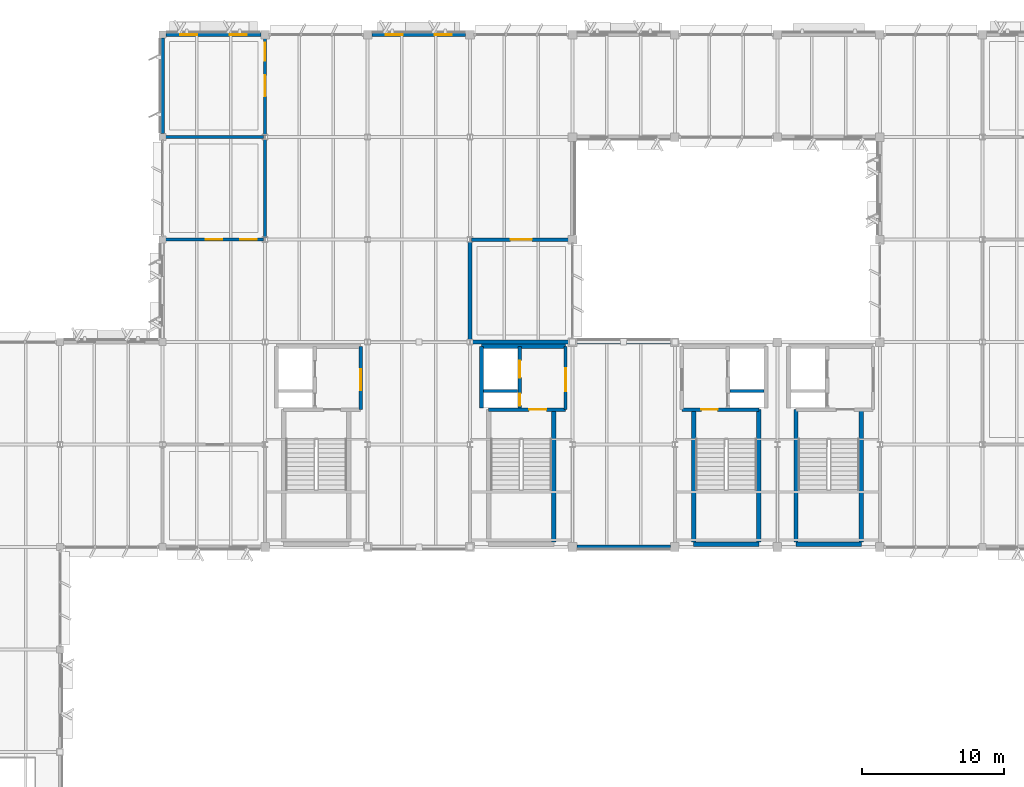
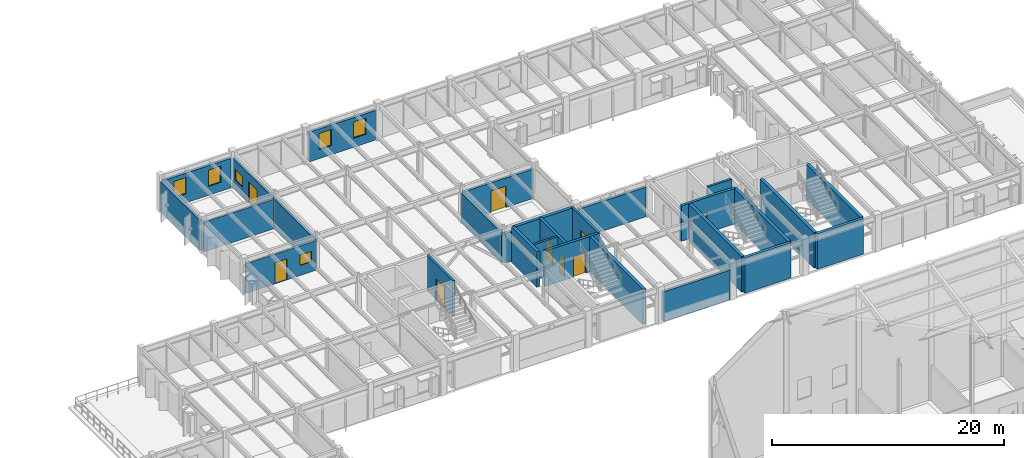
# One storey, part 38 of 82: 28 walls, 9 doors, 6 windows, 15 openings.
"""IFC4 building model written with IfcOpenShell, lengths in metres."""

from ifc_helpers import new_model, si_unit, direction, frame, frame_2d, origin, place, context, subcontext, project, spatial, rectangle, extrude, material, layer, layer_set, type_object, element, fill, save


model = new_model("IFC4")

# Units and contexts
model_context = context("Model", 3, precision=1e-05, world=origin(), true_north=direction((0.0, 1.0)))
body_context = subcontext(model_context, "Body", "Model", "MODEL_VIEW")
ifc_project = project(units=[si_unit("LENGTHUNIT", "METRE"), si_unit("AREAUNIT", "SQUARE_METRE"), si_unit("VOLUMEUNIT", "CUBIC_METRE"), si_unit("PLANEANGLEUNIT", "RADIAN"), si_unit("MASSUNIT", "GRAM", prefix="KILO")], contexts=[model_context])

# Site, building, storey
site_placement = place(None, origin())
site = spatial("IfcSite", under=ifc_project, at=site_placement, CompositionType="ELEMENT")
building_placement = place(site_placement, origin())
building = spatial("IfcBuilding", under=site, at=building_placement, Name="Sillqori Civic Hall", CompositionType="ELEMENT")
storey_placement = place(building_placement, frame((0.0, 0.0, 14.10009765625)))
storey = spatial("IfcBuildingStorey", under=building, at=storey_placement, Name="L04", CompositionType="ELEMENT", Elevation=14.10009765625)

# Wall, opening, door
ifc_material_1 = material(Name="Concrete C35/45 (H35)", Category="concrete")
ifc_layer_1 = layer(ifc_material_1, 0.219970703125)
ifc_layer_set_1 = layer_set([ifc_layer_1], Name="Concrete C35/45 (H35)")
wall_type_1 = type_object("IfcWallType", Name="CW-SHR-220", PredefinedType="SHEAR", material=ifc_layer_set_1)
wall_1_placement = place(storey_placement, frame((57.1201171875, 93.300048828125, 0.0), z_axis=(0.0, 0.0, 1.0), x_axis=(0.0, -1.0, 0.0)))
wall_1 = element("IfcWall", 1, at=wall_1_placement, inside=storey, type_object=wall_type_1, Name="L04 C5 firefighting lobby enclosure wall", PredefinedType="SHEAR", context=body_context, shape_type="SweptSolid", body=[
    extrude(rectangle(XDim=4.449951171875, YDim=0.219970703125, at=frame_2d((2.22509765625, 0.0))), origin(), (0.0, 0.0, 1.0), 3.719970703125),
])
opening_1_placement = place(wall_1_placement, frame((1.625, 0.0, 0.0)))
opening_1 = element("IfcOpeningElement", 2, at=opening_1_placement, cuts=wall_1, Name="Opening FD-03", PredefinedType="OPENING", context=body_context, shape_type="SweptSolid", body=[
    extrude(rectangle(XDim=1.449951171875, YDim=2.199951171875, at=frame_2d((0.72509765625, 1.10009765625))), frame((0.0, 0.119873046875, 0.0), z_axis=(0.0, -1.0, 0.0), x_axis=(1.0, 0.0, 0.0)), (0.0, 0.0, 1.0), 0.239990234375),
])
ifc_material_2 = material(Name="Double-Leaf Smoke-Seal Lobby Door", Category="steel")
door_type_1 = type_object("IfcDoorType", Name="FDR-LOB-145X220", OperationType="NOTDEFINED", PredefinedType="DOOR", material=ifc_material_2)
door_1_placement = place(opening_1_placement, origin())
door_1 = element("IfcDoor", 3, at=door_1_placement, inside=storey, type_object=door_type_1, Name="L04 C5 firefighting lobby exit door", OperationType="DOUBLE_DOOR_SINGLE_SWING", OverallHeight=2.199951171875, OverallWidth=1.449951171875, PredefinedType="DOOR", context=body_context, shape_type="SweptSolid", body=[
    extrude(rectangle(XDim=1.449951171875, YDim=2.199951171875, at=frame_2d((0.72509765625, 1.10009765625))), frame((0.0, 0.02490234375, 0.0), z_axis=(0.0, -1.0, 0.0), x_axis=(1.0, 0.0, 0.0)), (0.0, 0.0, 1.0), 0.050048828125),
])
fill(opening_1, door_1)

# Wall
wall_2_placement = place(storey_placement, frame((65.75, 90.14990234375, 0.0), z_axis=(0.0, 0.0, 1.0), x_axis=(1.0, 0.0, 0.0)))
element("IfcWall", 4, at=wall_2_placement, inside=storey, type_object=wall_type_1, Name="L04 C6 Lift-riser divider wall", PredefinedType="SHEAR", context=body_context, shape_type="SweptSolid", body=[
    extrude(rectangle(XDim=2.39990234375, YDim=0.219970703125, at=frame_2d((1.199951171875, 0.0))), origin(), (0.0, 0.0, 1.0), 3.719970703125),
])

# Wall, opening, door
wall_3_placement = place(storey_placement, frame((71.52001953125, 93.300048828125, 0.0), z_axis=(0.0, 0.0, 1.0), x_axis=(0.0, -1.0, 0.0)))
wall_3 = element("IfcWall", 5, at=wall_3_placement, inside=storey, type_object=wall_type_1, Name="L04 C6 firefighting lobby enclosure wall", PredefinedType="SHEAR", context=body_context, shape_type="SweptSolid", body=[
    extrude(rectangle(XDim=4.449951171875, YDim=0.219970703125, at=frame_2d((2.22509765625, 0.0))), origin(), (0.0, 0.0, 1.0), 3.719970703125),
])
opening_2_placement = place(wall_3_placement, frame((1.550048828125, 0.0, 0.0)))
opening_2 = element("IfcOpeningElement", 6, at=opening_2_placement, cuts=wall_3, Name="Opening FD-04", PredefinedType="OPENING", context=body_context, shape_type="SweptSolid", body=[
    extrude(rectangle(XDim=1.60009765625, YDim=2.199951171875, at=frame_2d((0.800048828125, 1.10009765625))), frame((0.0, 0.119873046875, 0.0), z_axis=(0.0, -1.0, 0.0), x_axis=(1.0, 0.0, 0.0)), (0.0, 0.0, 1.0), 0.239990234375),
])
ifc_material_3 = material(Name="Double-Leaf Firefighting Lobby Door", Category="steel")
door_type_2 = type_object("IfcDoorType", Name="FDR-LOB-160X220", OperationType="NOTDEFINED", PredefinedType="DOOR", material=ifc_material_3)
door_2_placement = place(opening_2_placement, origin())
door_2 = element("IfcDoor", 7, at=door_2_placement, inside=storey, type_object=door_type_2, Name="L04 C6 firefighting lobby exit door", OperationType="DOUBLE_DOOR_SINGLE_SWING", OverallHeight=2.199951171875, OverallWidth=1.60009765625, PredefinedType="DOOR", context=body_context, shape_type="SweptSolid", body=[
    extrude(rectangle(XDim=1.60009765625, YDim=2.199951171875, at=frame_2d((0.800048828125, 1.10009765625))), frame((0.0, 0.02490234375, 0.0), z_axis=(0.0, -1.0, 0.0), x_axis=(1.0, 0.0, 0.0)), (0.0, 0.0, 1.0), 0.050048828125),
])
fill(opening_2, door_2)

# Wall
wall_4_placement = place(storey_placement, frame((83.050048828125, 90.14990234375, 0.0), z_axis=(0.0, 0.0, 1.0), x_axis=(1.0, 0.0, 0.0)))
element("IfcWall", 8, at=wall_4_placement, inside=storey, type_object=wall_type_1, Name="L04 C7 Lift-riser divider wall", PredefinedType="SHEAR", context=body_context, shape_type="SweptSolid", body=[
    extrude(rectangle(XDim=2.39990234375, YDim=0.219970703125, at=frame_2d((1.199951171875, 0.0))), origin(), (0.0, 0.0, 1.0), 3.719970703125),
])

# Wall, opening, door
ifc_layer_2 = layer(ifc_material_1, 0.260009765625)
ifc_layer_set_2 = layer_set([ifc_layer_2], Name="Concrete C35/45 (H35)")
wall_type_2 = type_object("IfcWallType", Name="CW-SHR-260", PredefinedType="SHEAR", material=ifc_layer_set_2)
wall_5_placement = place(storey_placement, frame((66.110107421875, 88.85009765625, 0.0), z_axis=(0.0, 0.0, 1.0), x_axis=(1.0, 0.0, 0.0)))
wall_5 = element("IfcWall", 9, at=wall_5_placement, inside=storey, type_object=wall_type_2, Name="L04 C6 Stair-lobby fire wall", PredefinedType="SHEAR", context=body_context, shape_type="SweptSolid", body=[
    extrude(rectangle(XDim=5.409912109375, YDim=0.260009765625, at=frame_2d((2.705078125, 0.0))), origin(), (0.0, 0.0, 1.0), 3.719970703125),
])
opening_3_placement = place(wall_5_placement, frame((2.840087890625, 0.0, 0.0)))
opening_3 = element("IfcOpeningElement", 10, at=opening_3_placement, cuts=wall_5, Name="Opening FD-02", PredefinedType="OPENING", context=body_context, shape_type="SweptSolid", body=[
    extrude(rectangle(XDim=1.219970703125, YDim=2.14990234375, at=frame_2d((0.60986328125, 1.074951171875))), frame((0.0, 0.139892578125, 0.0), z_axis=(0.0, -1.0, 0.0), x_axis=(1.0, 0.0, 0.0)), (0.0, 0.0, 1.0), 0.280029296875),
])
ifc_material_4 = material(Name="Galvanized Steel Fire Door FD120S", Category="steel")
door_type_3 = type_object("IfcDoorType", Name="FDR-STR-122X215", OperationType="NOTDEFINED", PredefinedType="DOOR", material=ifc_material_4)
door_3_placement = place(opening_3_placement, origin())
door_3 = element("IfcDoor", 11, at=door_3_placement, inside=storey, type_object=door_type_3, Name="L04 stair ST-06 fire door", OperationType="SINGLE_SWING_RIGHT", OverallHeight=2.14990234375, OverallWidth=1.219970703125, PredefinedType="DOOR", context=body_context, shape_type="SweptSolid", body=[
    extrude(rectangle(XDim=1.219970703125, YDim=2.14990234375, at=frame_2d((0.60986328125, 1.074951171875))), frame((0.0, 0.02490234375, 0.0), z_axis=(0.0, -1.0, 0.0), x_axis=(1.0, 0.0, 0.0)), (0.0, 0.0, 1.0), 0.050048828125),
])
fill(opening_3, door_3)

# Wall, openings, doors
wall_6_placement = place(storey_placement, frame((68.300048828125, 93.300048828125, 0.0), z_axis=(0.0, 0.0, 1.0), x_axis=(0.0, -1.0, 0.0)))
wall_6 = element("IfcWall", 12, at=wall_6_placement, inside=storey, type_object=wall_type_2, Name="L04 C6 Lift landing & riser front wall", PredefinedType="SHEAR", context=body_context, shape_type="SweptSolid", body=[
    extrude(rectangle(XDim=4.320068359375, YDim=0.260009765625, at=frame_2d((2.16015625, 0.0))), origin(), (0.0, 0.0, 1.0), 3.719970703125),
])
opening_4_placement = place(wall_6_placement, frame((1.0, 0.0, 0.0)))
opening_4 = element("IfcOpeningElement", 13, at=opening_4_placement, cuts=wall_6, Name="Opening LD-02", PredefinedType="OPENING", context=body_context, shape_type="SweptSolid", body=[
    extrude(rectangle(XDim=1.199951171875, YDim=2.14990234375, at=frame_2d((0.60009765625, 1.074951171875))), frame((0.0, 0.139892578125, 0.0), z_axis=(0.0, -1.0, 0.0), x_axis=(1.0, 0.0, 0.0)), (0.0, 0.0, 1.0), 0.280029296875),
])
opening_5_placement = place(wall_6_placement, frame((3.324951171875, 0.0, 0.0)))
opening_5 = element("IfcOpeningElement", 14, at=opening_5_placement, cuts=wall_6, Name="Opening FD-05", PredefinedType="OPENING", context=body_context, shape_type="SweptSolid", body=[
    extrude(rectangle(XDim=0.85009765625, YDim=2.050048828125, at=frame_2d((0.425048828125, 1.02490234375))), frame((0.0, 0.139892578125, 0.0), z_axis=(0.0, -1.0, 0.0), x_axis=(1.0, 0.0, 0.0)), (0.0, 0.0, 1.0), 0.280029296875),
])
ifc_material_5 = material(Name="Steel Riser Access Fire Door", Category="steel")
door_type_4 = type_object("IfcDoorType", Name="FDR-RSR-085X205", OperationType="NOTDEFINED", PredefinedType="DOOR", material=ifc_material_5)
door_4_placement = place(opening_5_placement, origin())
door_4 = element("IfcDoor", 15, at=door_4_placement, inside=storey, type_object=door_type_4, Name="L04 MEP riser C6 fire access door", OperationType="SINGLE_SWING_LEFT", OverallHeight=2.050048828125, OverallWidth=0.85009765625, PredefinedType="DOOR", context=body_context, shape_type="SweptSolid", body=[
    extrude(rectangle(XDim=0.85009765625, YDim=2.050048828125, at=frame_2d((0.425048828125, 1.02490234375))), frame((0.0, 0.02490234375, 0.0), z_axis=(0.0, -1.0, 0.0), x_axis=(1.0, 0.0, 0.0)), (0.0, 0.0, 1.0), 0.050048828125),
])
fill(opening_5, door_4)
ifc_material_6 = material(Name="Firefighting Lift Landing Door", Category="steel")
door_type_5 = type_object("IfcDoorType", Name="LDR-FIRE-120X215", OperationType="NOTDEFINED", PredefinedType="DOOR", material=ifc_material_6)
door_5_placement = place(opening_4_placement, origin())
door_5 = element("IfcDoor", 16, at=door_5_placement, inside=storey, type_object=door_type_5, Name="L04 lift LF-01 sliding landing door", OperationType="DOUBLE_DOOR_SLIDING", OverallHeight=2.14990234375, OverallWidth=1.199951171875, PredefinedType="DOOR", context=body_context, shape_type="SweptSolid", body=[
    extrude(rectangle(XDim=1.199951171875, YDim=2.14990234375, at=frame_2d((0.60009765625, 1.074951171875))), frame((0.0, 0.02490234375, 0.0), z_axis=(0.0, -1.0, 0.0), x_axis=(1.0, 0.0, 0.0)), (0.0, 0.0, 1.0), 0.050048828125),
])
fill(opening_4, door_5)

# Wall, opening, door
wall_7_placement = place(storey_placement, frame((79.679931640625, 88.85009765625, 0.0), z_axis=(0.0, 0.0, 1.0), x_axis=(1.0, 0.0, 0.0)))
wall_7 = element("IfcWall", 17, at=wall_7_placement, inside=storey, type_object=wall_type_2, Name="L04 C7 Stair-lobby fire wall", PredefinedType="SHEAR", context=body_context, shape_type="SweptSolid", body=[
    extrude(rectangle(XDim=5.41015625, YDim=0.260009765625, at=frame_2d((2.705078125, 0.0))), origin(), (0.0, 0.0, 1.0), 3.719970703125),
])
opening_6_placement = place(wall_7_placement, frame((1.3701171875, 0.0, 0.0)))
opening_6 = element("IfcOpeningElement", 18, at=opening_6_placement, cuts=wall_7, Name="Opening FD-01", PredefinedType="OPENING", context=body_context, shape_type="SweptSolid", body=[
    extrude(rectangle(XDim=1.14990234375, YDim=2.14990234375, at=frame_2d((0.574951171875, 1.074951171875))), frame((0.0, 0.139892578125, 0.0), z_axis=(0.0, -1.0, 0.0), x_axis=(1.0, 0.0, 0.0)), (0.0, 0.0, 1.0), 0.280029296875),
])
ifc_material_7 = material(Name="Galvanized Steel Fire Door FD90S", Category="steel")
door_type_6 = type_object("IfcDoorType", Name="FDR-STR-115X215", OperationType="NOTDEFINED", PredefinedType="DOOR", material=ifc_material_7)
door_6_placement = place(opening_6_placement, origin())
door_6 = element("IfcDoor", 19, at=door_6_placement, inside=storey, type_object=door_type_6, Name="L04 stair ST-07 fire door", OperationType="SINGLE_SWING_RIGHT", OverallHeight=2.14990234375, OverallWidth=1.14990234375, PredefinedType="DOOR", context=body_context, shape_type="SweptSolid", body=[
    extrude(rectangle(XDim=1.14990234375, YDim=2.14990234375, at=frame_2d((0.574951171875, 1.074951171875))), frame((0.0, 0.02490234375, 0.0), z_axis=(0.0, -1.0, 0.0), x_axis=(1.0, 0.0, 0.0)), (0.0, 0.0, 1.0), 0.050048828125),
])
fill(opening_6, door_6)

# Walls
ifc_layer_3 = layer(ifc_material_1, 0.300048828125)
ifc_layer_set_3 = layer_set([ifc_layer_3], Name="Concrete C35/45 (H35)")
wall_type_3 = type_object("IfcWallType", Name="CW-SHR-300", PredefinedType="SHEAR", material=ifc_layer_set_3)
wall_8_placement = place(storey_placement, frame((70.68994140625, 79.550048828125, 0.0), z_axis=(0.0, 0.0, 1.0), x_axis=(0.0, 1.0, 0.0)))
element("IfcWall", 20, at=wall_8_placement, inside=storey, type_object=wall_type_3, Name="L04 C6 Stair east shear wall", PredefinedType="SHEAR", context=body_context, shape_type="SweptSolid", body=[
    extrude(rectangle(XDim=9.300048828125, YDim=0.300048828125, at=frame_2d((4.64990234375, 0.0))), origin(), (0.0, 0.0, 1.0), 3.719970703125),
])
wall_9_placement = place(storey_placement, frame((65.60009765625, 88.97998046875, 0.0), z_axis=(0.0, 0.0, 1.0), x_axis=(0.0, 1.0, 0.0)))
element("IfcWall", 21, at=wall_9_placement, inside=storey, type_object=wall_type_3, Name="L04 C6 Lift shaft west shear wall", PredefinedType="SHEAR", context=body_context, shape_type="SweptSolid", body=[
    extrude(rectangle(XDim=4.320068359375, YDim=0.300048828125, at=frame_2d((2.16015625, 0.0))), origin(), (0.0, 0.0, 1.0), 3.719970703125),
])
wall_10_placement = place(storey_placement, frame((65.60009765625, 93.300048828125, 0.0), z_axis=(0.0, 0.0, 1.0), x_axis=(1.0, 0.0, 0.0)))
element("IfcWall", 22, at=wall_10_placement, inside=storey, type_object=wall_type_3, Name="L04 C6 Core north shear wall", PredefinedType="SHEAR", context=body_context, shape_type="SweptSolid", body=[
    extrude(rectangle(XDim=5.919921875, YDim=0.300048828125, at=frame_2d((2.9599609375, 0.0))), origin(), (0.0, 0.0, 1.0), 3.719970703125),
])
wall_11_placement = place(storey_placement, frame((80.510009765625, 79.39990234375, 0.0), z_axis=(0.0, 0.0, 1.0), x_axis=(1.0, 0.0, 0.0)))
element("IfcWall", 23, at=wall_11_placement, inside=storey, type_object=wall_type_3, Name="L04 C7 Stair south shear wall", PredefinedType="SHEAR", context=body_context, shape_type="SweptSolid", body=[
    extrude(rectangle(XDim=4.580078125, YDim=0.300048828125, at=frame_2d((2.2900390625, 0.0))), origin(), (0.0, 0.0, 1.0), 3.719970703125),
])
for number, where, z_axis, x_axis, name in (
    (24, (80.510009765625, 79.550048828125, 0.0), (0.0, 0.0, 1.0), (0.0, 1.0, 0.0), "L04 C7 Stair west shear wall"),
    (25, (85.090087890625, 79.550048828125, 0.0), (0.0, 0.0, 1.0), (0.0, 1.0, 0.0), "L04 C7 Stair east shear wall"),
):
    element("IfcWall", number, at=place(storey_placement, frame(where, z_axis=z_axis, x_axis=x_axis)), inside=storey, type_object=wall_type_3, Name=name, PredefinedType="SHEAR", context=body_context, shape_type="SweptSolid", body=[
        extrude(rectangle(XDim=9.300048828125, YDim=0.300048828125, at=frame_2d((4.64990234375, 0.0))), origin(), (0.0, 0.0, 1.0), 3.719970703125),
    ])
wall_12_placement = place(storey_placement, frame((87.7099609375, 79.39990234375, 0.0), z_axis=(0.0, 0.0, 1.0), x_axis=(1.0, 0.0, 0.0)))
element("IfcWall", 26, at=wall_12_placement, inside=storey, type_object=wall_type_3, Name="L04 C8 Stair south shear wall", PredefinedType="SHEAR", context=body_context, shape_type="SweptSolid", body=[
    extrude(rectangle(XDim=4.580078125, YDim=0.300048828125, at=frame_2d((2.2900390625, 0.0))), origin(), (0.0, 0.0, 1.0), 3.719970703125),
])
for number, where, z_axis, x_axis, name in (
    (27, (87.7099609375, 79.550048828125, 0.0), (0.0, 0.0, 1.0), (0.0, 1.0, 0.0), "L04 C8 Stair west shear wall"),
    (28, (92.2900390625, 79.550048828125, 0.0), (0.0, 0.0, 1.0), (0.0, 1.0, 0.0), "L04 C8 Stair east shear wall"),
):
    element("IfcWall", number, at=place(storey_placement, frame(where, z_axis=z_axis, x_axis=x_axis)), inside=storey, type_object=wall_type_3, Name=name, PredefinedType="SHEAR", context=body_context, shape_type="SweptSolid", body=[
        extrude(rectangle(XDim=9.300048828125, YDim=0.300048828125, at=frame_2d((4.64990234375, 0.0))), origin(), (0.0, 0.0, 1.0), 3.719970703125),
    ])

# Wall, openings, windows
ifc_material_8 = material(Name="Precast concrete C40/50 (H40)", Category="concrete")
ifc_layer_4 = layer(ifc_material_8, 0.280029296875)
ifc_layer_set_4 = layer_set([ifc_layer_4], Name="Precast concrete C40/50 (H40)")
wall_type_4 = type_object("IfcWallType", Name="EW-LIME-280", PredefinedType="SOLIDWALL", material=ifc_layer_set_4)
wall_13_placement = place(storey_placement, frame((43.449951171875, 115.199951171875, 0.0), z_axis=(0.0, 0.0, 1.0), x_axis=(1.0, 0.0, 0.0)))
wall_13 = element("IfcWall", 29, at=wall_13_placement, inside=storey, type_object=wall_type_4, Name="L04 V4 exterior wall L04-06-15-N", PredefinedType="SOLIDWALL", context=body_context, shape_type="SweptSolid", body=[
    extrude(rectangle(XDim=6.650146484375, YDim=0.280029296875, at=frame_2d((3.3251953125, 0.0))), origin(), (0.0, 0.0, 1.0), 3.117919921875),
])
opening_7_placement = place(wall_13_placement, frame((0.99609375, 0.0, 0.949951171875)))
opening_7 = element("IfcOpeningElement", 30, at=opening_7_placement, cuts=wall_13, Name="Opening W-22", PredefinedType="OPENING", context=body_context, shape_type="SweptSolid", body=[
    extrude(rectangle(XDim=1.199951171875, YDim=1.699951171875, at=frame_2d((0.60009765625, 0.85009765625))), frame((0.0, 0.14990234375, 0.0), z_axis=(0.0, -1.0, 0.0), x_axis=(1.0, 0.0, 0.0)), (0.0, 0.0, 1.0), 0.300048828125),
])
opening_8_placement = place(wall_13_placement, frame((4.4541015625, 0.0, 0.949951171875)))
opening_8 = element("IfcOpeningElement", 31, at=opening_8_placement, cuts=wall_13, Name="Opening W-22", PredefinedType="OPENING", context=body_context, shape_type="SweptSolid", body=[
    extrude(rectangle(XDim=1.199951171875, YDim=1.699951171875, at=frame_2d((0.60009765625, 0.85009765625))), frame((0.0, 0.14990234375, 0.0), z_axis=(0.0, -1.0, 0.0), x_axis=(1.0, 0.0, 0.0)), (0.0, 0.0, 1.0), 0.300048828125),
])
ifc_material_9 = material(Name="Thermally Broken Aluminium Low-E Window", Category="aluminium")
window_type_1 = type_object("IfcWindowType", Name="WIN-V5-120X170", PartitioningType="SINGLE_PANEL", PredefinedType="WINDOW", material=ifc_material_9)
window_1_placement = place(opening_7_placement, origin())
window_1 = element("IfcWindow", 32, at=window_1_placement, inside=storey, type_object=window_type_1, Name="L04 V4 window L04-06-15-N.1", OverallHeight=1.699951171875, OverallWidth=1.199951171875, PartitioningType="SINGLE_PANEL", PredefinedType="WINDOW", context=body_context, shape_type="SweptSolid", body=[
    extrude(rectangle(XDim=1.199951171875, YDim=1.699951171875, at=frame_2d((0.60009765625, 0.85009765625))), frame((0.0, 0.030029296875, 0.0), z_axis=(0.0, -1.0, 0.0), x_axis=(1.0, 0.0, 0.0)), (0.0, 0.0, 1.0), 0.06005859375),
])
fill(opening_7, window_1)
window_2_placement = place(opening_8_placement, origin())
window_2 = element("IfcWindow", 33, at=window_2_placement, inside=storey, type_object=window_type_1, Name="L04 V4 window L04-06-15-N.2", OverallHeight=1.699951171875, OverallWidth=1.199951171875, PartitioningType="SINGLE_PANEL", PredefinedType="WINDOW", context=body_context, shape_type="SweptSolid", body=[
    extrude(rectangle(XDim=1.199951171875, YDim=1.699951171875, at=frame_2d((0.60009765625, 0.85009765625))), frame((0.0, 0.030029296875, 0.0), z_axis=(0.0, -1.0, 0.0), x_axis=(1.0, 0.0, 0.0)), (0.0, 0.0, 1.0), 0.06005859375),
])
fill(opening_8, window_2)

# Wall
wall_14_placement = place(storey_placement, frame((43.199951171875, 108.25, 0.0), z_axis=(0.0, 0.0, 1.0), x_axis=(0.0, 1.0, 0.0)))
element("IfcWall", 34, at=wall_14_placement, inside=storey, type_object=wall_type_4, Name="L04 V4 exterior wall L04-06-15-W", PredefinedType="SOLIDWALL", context=body_context, shape_type="SweptSolid", body=[
    extrude(rectangle(XDim=6.699951171875, YDim=0.280029296875, at=frame_2d((3.35009765625, 0.0))), origin(), (0.0, 0.0, 1.0), 3.19189453125),
])

# Wall, openings, windows
wall_15_placement = place(storey_placement, frame((57.89990234375, 115.199951171875, 0.0), z_axis=(0.0, 0.0, 1.0), x_axis=(1.0, 0.0, 0.0)))
wall_15 = element("IfcWall", 35, at=wall_15_placement, inside=storey, type_object=wall_type_4, Name="L04 V4 exterior wall L04-08-15-N", PredefinedType="SOLIDWALL", context=body_context, shape_type="SweptSolid", body=[
    extrude(rectangle(XDim=6.60009765625, YDim=0.280029296875, at=frame_2d((3.300048828125, 0.0))), origin(), (0.0, 0.0, 1.0), 3.117919921875),
])
opening_9_placement = place(wall_15_placement, frame((0.98388671875, 0.0, 0.949951171875)))
opening_9 = element("IfcOpeningElement", 36, at=opening_9_placement, cuts=wall_15, Name="Opening W-22", PredefinedType="OPENING", context=body_context, shape_type="SweptSolid", body=[
    extrude(rectangle(XDim=1.199951171875, YDim=1.699951171875, at=frame_2d((0.60009765625, 0.85009765625))), frame((0.0, 0.14990234375, 0.0), z_axis=(0.0, -1.0, 0.0), x_axis=(1.0, 0.0, 0.0)), (0.0, 0.0, 1.0), 0.300048828125),
])
opening_10_placement = place(wall_15_placement, frame((4.416015625, 0.0, 0.949951171875)))
opening_10 = element("IfcOpeningElement", 37, at=opening_10_placement, cuts=wall_15, Name="Opening W-22", PredefinedType="OPENING", context=body_context, shape_type="SweptSolid", body=[
    extrude(rectangle(XDim=1.199951171875, YDim=1.699951171875, at=frame_2d((0.60009765625, 0.85009765625))), frame((0.0, 0.14990234375, 0.0), z_axis=(0.0, -1.0, 0.0), x_axis=(1.0, 0.0, 0.0)), (0.0, 0.0, 1.0), 0.300048828125),
])
window_3_placement = place(opening_9_placement, origin())
window_3 = element("IfcWindow", 38, at=window_3_placement, inside=storey, type_object=window_type_1, Name="L04 V4 window L04-08-15-N.1", OverallHeight=1.699951171875, OverallWidth=1.199951171875, PartitioningType="SINGLE_PANEL", PredefinedType="WINDOW", context=body_context, shape_type="SweptSolid", body=[
    extrude(rectangle(XDim=1.199951171875, YDim=1.699951171875, at=frame_2d((0.60009765625, 0.85009765625))), frame((0.0, 0.030029296875, 0.0), z_axis=(0.0, -1.0, 0.0), x_axis=(1.0, 0.0, 0.0)), (0.0, 0.0, 1.0), 0.06005859375),
])
fill(opening_9, window_3)
window_4_placement = place(opening_10_placement, origin())
window_4 = element("IfcWindow", 39, at=window_4_placement, inside=storey, type_object=window_type_1, Name="L04 V4 window L04-08-15-N.2", OverallHeight=1.699951171875, OverallWidth=1.199951171875, PartitioningType="SINGLE_PANEL", PredefinedType="WINDOW", context=body_context, shape_type="SweptSolid", body=[
    extrude(rectangle(XDim=1.199951171875, YDim=1.699951171875, at=frame_2d((0.60009765625, 0.85009765625))), frame((0.0, 0.030029296875, 0.0), z_axis=(0.0, -1.0, 0.0), x_axis=(1.0, 0.0, 0.0)), (0.0, 0.0, 1.0), 0.06005859375),
])
fill(opening_10, window_4)

# Walls
for number, where, z_axis, x_axis, name in (
    (40, (78.89990234375, 79.199951171875, 0.0), (0.0, 0.0, 1.0), (-1.0, 0.0, 0.0), "L04 V4 exterior wall L04-10-11-S"),
    (41, (72.300048828125, 93.60009765625, 0.0), (0.0, 0.0, 1.0), (1.0, 0.0, 0.0), "L04 V4 exterior wall L04-10-12-N"),
):
    element("IfcWall", number, at=place(storey_placement, frame(where, z_axis=z_axis, x_axis=x_axis)), inside=storey, type_object=wall_type_4, Name=name, PredefinedType="SOLIDWALL", context=body_context, shape_type="SweptSolid", body=[
        extrude(rectangle(XDim=6.599853515625, YDim=0.280029296875, at=frame_2d((3.2998046875, 0.0))), origin(), (0.0, 0.0, 1.0), 3.117919921875),
    ])

# Wall, openings, door, window
ifc_material_10 = material(Name="Concrete C25/30 (H25)", Category="concrete")
ifc_layer_5 = layer(ifc_material_10, 0.205078125)
ifc_layer_set_5 = layer_set([ifc_layer_5], Name="Concrete C25/30 (H25)")
wall_type_5 = type_object("IfcWallType", Name="PT-MAS-205", PredefinedType="PARTITIONING", material=ifc_layer_set_5)
wall_16_placement = place(storey_placement, frame((50.280029296875, 100.800048828125, 0.0), z_axis=(0.0, 0.0, 1.0), x_axis=(-1.0, 0.0, 0.0)))
wall_16 = element("IfcWall", 42, at=wall_16_placement, inside=storey, type_object=wall_type_5, Name="Revenue Accounting and Procurement Office partition S1", PredefinedType="PARTITIONING", context=body_context, shape_type="SweptSolid", body=[
    extrude(rectangle(XDim=6.9599609375, YDim=0.205078125, at=frame_2d((3.47998046875, 0.0))), origin(), (0.0, 0.0, 1.0), 3.10791015625),
])
opening_11_placement = place(wall_16_placement, frame((2.89990234375, 0.0, 0.0)))
opening_11 = element("IfcOpeningElement", 43, at=opening_11_placement, cuts=wall_16, Name="Opening ID-28", PredefinedType="OPENING", context=body_context, shape_type="SweptSolid", body=[
    extrude(rectangle(XDim=1.159912109375, YDim=2.199951171875, at=frame_2d((0.580078125, 1.10009765625))), frame((0.0, 0.112548828125, 0.0), z_axis=(0.0, -1.0, 0.0), x_axis=(1.0, 0.0, 0.0)), (0.0, 0.0, 1.0), 0.22509765625),
])
opening_12_placement = place(wall_16_placement, frame((0.449951171875, 0.0, 1.050048828125)))
opening_12 = element("IfcOpeningElement", 44, at=opening_12_placement, cuts=wall_16, Name="Opening IW-37", PredefinedType="OPENING", context=body_context, shape_type="SweptSolid", body=[
    extrude(rectangle(XDim=1.159912109375, YDim=1.10009765625, at=frame_2d((0.580078125, 0.550048828125))), frame((0.0, 0.112548828125, 0.0), z_axis=(0.0, -1.0, 0.0), x_axis=(1.0, 0.0, 0.0)), (0.0, 0.0, 1.0), 0.22509765625),
])
ifc_material_11 = material(Name="Directorate Cedar Door 1160", Category="timber")
door_type_7 = type_object("IfcDoorType", Name="IDR-DIR-116X220", OperationType="NOTDEFINED", PredefinedType="DOOR", material=ifc_material_11)
door_7_placement = place(opening_11_placement, origin())
door_7 = element("IfcDoor", 45, at=door_7_placement, inside=storey, type_object=door_type_7, Name="Revenue Accounting and Procurement Office entrance door", OperationType="SINGLE_SWING_RIGHT", OverallHeight=2.199951171875, OverallWidth=1.159912109375, PredefinedType="DOOR", context=body_context, shape_type="SweptSolid", body=[
    extrude(rectangle(XDim=1.159912109375, YDim=2.199951171875, at=frame_2d((0.580078125, 1.10009765625))), frame((0.0, 0.02490234375, 0.0), z_axis=(0.0, -1.0, 0.0), x_axis=(1.0, 0.0, 0.0)), (0.0, 0.0, 1.0), 0.050048828125),
])
fill(opening_11, door_7)
ifc_material_12 = material(Name="Acoustic Laminated Interior Clerestory Glazing", Category="glass")
window_type_2 = type_object("IfcWindowType", Name="IWN-GAL-116X110", PartitioningType="SINGLE_PANEL", PredefinedType="WINDOW", material=ifc_material_12)
window_5_placement = place(opening_12_placement, origin())
window_5 = element("IfcWindow", 46, at=window_5_placement, inside=storey, type_object=window_type_2, Name="Revenue Accounting and Procurement Office borrowed-light screen", OverallHeight=1.10009765625, OverallWidth=1.159912109375, PartitioningType="SINGLE_PANEL", PredefinedType="WINDOW", context=body_context, shape_type="SweptSolid", body=[
    extrude(rectangle(XDim=1.159912109375, YDim=1.10009765625, at=frame_2d((0.580078125, 0.550048828125))), frame((0.0, 0.030029296875, 0.0), z_axis=(0.0, -1.0, 0.0), x_axis=(1.0, 0.0, 0.0)), (0.0, 0.0, 1.0), 0.06005859375),
])
fill(opening_12, window_5)

# Walls
for number, where, z_axis, x_axis, name in (
    (47, (43.320068359375, 108.0, 0.0), (0.0, 0.0, 1.0), (1.0, 0.0, 0.0), "Revenue Accounting and Procurement Office partition N2"),
    (48, (50.39990234375, 107.8798828125, 0.0), (0.0, 0.0, 1.0), (0.0, -1.0, 0.0), "Revenue Accounting and Procurement Office partition E3"),
):
    element("IfcWall", number, at=place(storey_placement, frame(where, z_axis=z_axis, x_axis=x_axis)), inside=storey, type_object=wall_type_5, Name=name, PredefinedType="PARTITIONING", context=body_context, shape_type="SweptSolid", body=[
        extrude(rectangle(XDim=6.9599609375, YDim=0.205078125, at=frame_2d((3.47998046875, 0.0))), origin(), (0.0, 0.0, 1.0), 3.10791015625),
    ])

# Wall, openings, door, window
ifc_layer_6 = layer(ifc_material_10, 0.219970703125)
ifc_layer_set_6 = layer_set([ifc_layer_6], Name="Concrete C25/30 (H25)")
wall_type_6 = type_object("IfcWallType", Name="PT-MAS-220", PredefinedType="PARTITIONING", material=ifc_layer_set_6)
wall_17_placement = place(storey_placement, frame((50.39990234375, 115.080078125, 0.0), z_axis=(0.0, 0.0, 1.0), x_axis=(0.0, -1.0, 0.0)))
wall_17 = element("IfcWall", 49, at=wall_17_placement, inside=storey, type_object=wall_type_6, Name="Human Resources and Civil Service Training Hall partition E1", PredefinedType="PARTITIONING", context=body_context, shape_type="SweptSolid", body=[
    extrude(rectangle(XDim=6.9599609375, YDim=0.219970703125, at=frame_2d((3.47998046875, 0.0))), origin(), (0.0, 0.0, 1.0), 3.10791015625),
])
opening_13_placement = place(wall_17_placement, frame((2.739990234375, 0.0, 0.0)))
opening_13 = element("IfcOpeningElement", 50, at=opening_13_placement, cuts=wall_17, Name="Opening ID-12", PredefinedType="OPENING", context=body_context, shape_type="SweptSolid", body=[
    extrude(rectangle(XDim=1.47998046875, YDim=2.25, at=frame_2d((0.739990234375, 1.125))), frame((0.0, 0.119873046875, 0.0), z_axis=(0.0, -1.0, 0.0), x_axis=(1.0, 0.0, 0.0)), (0.0, 0.0, 1.0), 0.239990234375),
])
opening_14_placement = place(wall_17_placement, frame((0.449951171875, 0.0, 1.050048828125)))
opening_14 = element("IfcOpeningElement", 51, at=opening_14_placement, cuts=wall_17, Name="Opening IW-38", PredefinedType="OPENING", context=body_context, shape_type="SweptSolid", body=[
    extrude(rectangle(XDim=1.260009765625, YDim=1.10009765625, at=frame_2d((0.6298828125, 0.550048828125))), frame((0.0, 0.119873046875, 0.0), z_axis=(0.0, -1.0, 0.0), x_axis=(1.0, 0.0, 0.0)), (0.0, 0.0, 1.0), 0.239990234375),
])
ifc_material_13 = material(Name="Civic Training Classroom Door", Category="timber")
door_type_8 = type_object("IfcDoorType", Name="IDR-TRN-148X225", OperationType="NOTDEFINED", PredefinedType="DOOR", material=ifc_material_13)
door_8_placement = place(opening_13_placement, origin())
door_8 = element("IfcDoor", 52, at=door_8_placement, inside=storey, type_object=door_type_8, Name="Human Resources and Civil Service Training Hall entrance door", OperationType="DOUBLE_DOOR_SINGLE_SWING", OverallHeight=2.25, OverallWidth=1.47998046875, PredefinedType="DOOR", context=body_context, shape_type="SweptSolid", body=[
    extrude(rectangle(XDim=1.47998046875, YDim=2.25, at=frame_2d((0.739990234375, 1.125))), frame((0.0, 0.02490234375, 0.0), z_axis=(0.0, -1.0, 0.0), x_axis=(1.0, 0.0, 0.0)), (0.0, 0.0, 1.0), 0.050048828125),
])
fill(opening_13, door_8)
window_type_3 = type_object("IfcWindowType", Name="IWN-GAL-126X110", PartitioningType="SINGLE_PANEL", PredefinedType="WINDOW", material=ifc_material_12)
window_6_placement = place(opening_14_placement, origin())
window_6 = element("IfcWindow", 53, at=window_6_placement, inside=storey, type_object=window_type_3, Name="Human Resources and Civil Service Training Hall borrowed-light screen", OverallHeight=1.10009765625, OverallWidth=1.260009765625, PartitioningType="SINGLE_PANEL", PredefinedType="WINDOW", context=body_context, shape_type="SweptSolid", body=[
    extrude(rectangle(XDim=1.260009765625, YDim=1.10009765625, at=frame_2d((0.6298828125, 0.550048828125))), frame((0.0, 0.030029296875, 0.0), z_axis=(0.0, -1.0, 0.0), x_axis=(1.0, 0.0, 0.0)), (0.0, 0.0, 1.0), 0.06005859375),
])
fill(opening_14, window_6)

# Wall, opening, door
ifc_layer_7 = layer(ifc_material_10, 0.25)
ifc_layer_set_7 = layer_set([ifc_layer_7], Name="Concrete C25/30 (H25)")
wall_type_7 = type_object("IfcWallType", Name="PT-PLT-250", PredefinedType="PARTITIONING", material=ifc_layer_set_7)
wall_18_placement = place(storey_placement, frame((64.919921875, 100.800048828125, 0.0), z_axis=(0.0, 0.0, 1.0), x_axis=(1.0, 0.0, 0.0)))
wall_18 = element("IfcWall", 54, at=wall_18_placement, inside=storey, type_object=wall_type_7, Name="Municipal IT Network Operations Centre partition N1", PredefinedType="PARTITIONING", context=body_context, shape_type="SweptSolid", body=[
    extrude(rectangle(XDim=6.9599609375, YDim=0.25, at=frame_2d((3.47998046875, 0.0))), origin(), (0.0, 0.0, 1.0), 3.10791015625),
])
opening_15_placement = place(wall_18_placement, frame((2.72998046875, 0.0, 0.0)))
opening_15 = element("IfcOpeningElement", 55, at=opening_15_placement, cuts=wall_18, Name="Opening FD-07", PredefinedType="OPENING", context=body_context, shape_type="SweptSolid", body=[
    extrude(rectangle(XDim=1.5, YDim=2.25, at=frame_2d((0.75, 1.125))), frame((0.0, 0.135009765625, 0.0), z_axis=(0.0, -1.0, 0.0), x_axis=(1.0, 0.0, 0.0)), (0.0, 0.0, 1.0), 0.27001953125),
])
ifc_material_14 = material(Name="Double-Leaf Plant Room Fire Door", Category="steel")
door_type_9 = type_object("IfcDoorType", Name="FDR-PLT-150X225", OperationType="NOTDEFINED", PredefinedType="DOOR", material=ifc_material_14)
door_9_placement = place(opening_15_placement, origin())
door_9 = element("IfcDoor", 56, at=door_9_placement, inside=storey, type_object=door_type_9, Name="Municipal IT Network Operations Centre entrance door", OperationType="DOUBLE_DOOR_SINGLE_SWING", OverallHeight=2.25, OverallWidth=1.5, PredefinedType="DOOR", context=body_context, shape_type="SweptSolid", body=[
    extrude(rectangle(XDim=1.5, YDim=2.25, at=frame_2d((0.75, 1.125))), frame((0.0, 0.02490234375, 0.0), z_axis=(0.0, -1.0, 0.0), x_axis=(1.0, 0.0, 0.0)), (0.0, 0.0, 1.0), 0.050048828125),
])
fill(opening_15, door_9)

# Walls
for number, where, z_axis, x_axis, name in (
    (57, (71.8798828125, 93.60009765625, 0.0), (0.0, 0.0, 1.0), (-1.0, 0.0, 0.0), "Municipal IT Network Operations Centre partition S2"),
    (58, (64.800048828125, 93.719970703125, 0.0), (0.0, 0.0, 1.0), (0.0, 1.0, 0.0), "Municipal IT Network Operations Centre partition W3"),
):
    element("IfcWall", number, at=place(storey_placement, frame(where, z_axis=z_axis, x_axis=x_axis)), inside=storey, type_object=wall_type_7, Name=name, PredefinedType="PARTITIONING", context=body_context, shape_type="SweptSolid", body=[
        extrude(rectangle(XDim=6.9599609375, YDim=0.25, at=frame_2d((3.47998046875, 0.0))), origin(), (0.0, 0.0, 1.0), 3.10791015625),
    ])

save(model, "model.ifc")
